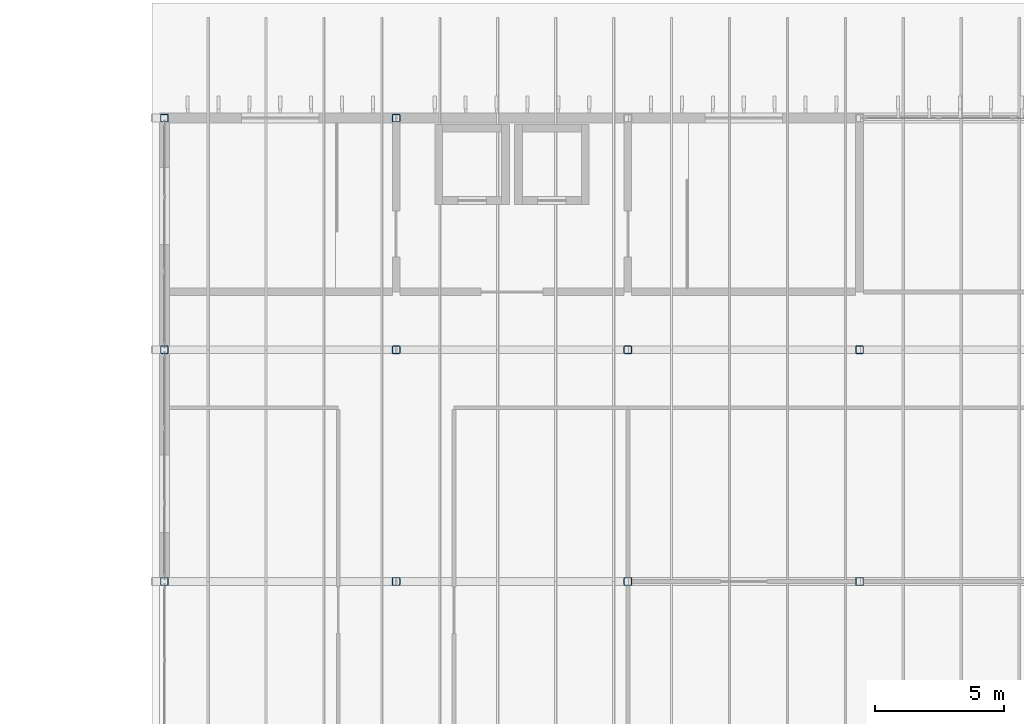
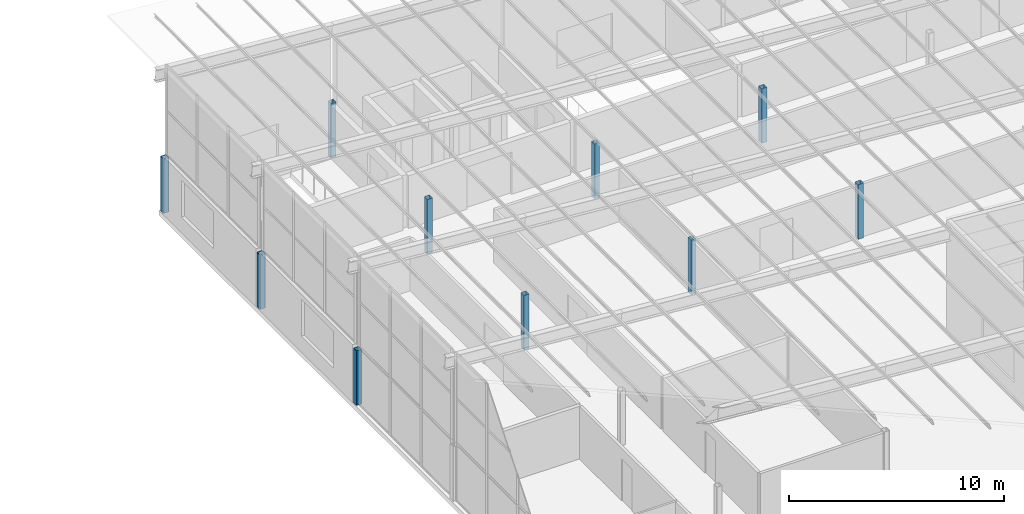
# One storey, part 15 of 85: 10 columns.
"""IFC4 building model written with IfcOpenShell, lengths in metres."""

from ifc_helpers import new_model, si_unit, direction, frame, origin, origin_2d, place, context, subcontext, project, spatial, hollow_rectangle, extrude, material, material_profile, profile_set, type_object, element, save


model = new_model("IFC4")

# Units and contexts
model_context = context("Model", 3, precision=1e-05, world=origin(), true_north=direction((0.0, 1.0)))
body_context = subcontext(model_context, "Body", "Model", "MODEL_VIEW")
ifc_project = project(units=[si_unit("LENGTHUNIT", "METRE"), si_unit("AREAUNIT", "SQUARE_METRE"), si_unit("VOLUMEUNIT", "CUBIC_METRE"), si_unit("PLANEANGLEUNIT", "RADIAN"), si_unit("MASSUNIT", "GRAM", prefix="KILO")], contexts=[model_context])

# Site, building, storey
site_placement = place(None, origin())
site = spatial("IfcSite", under=ifc_project, at=site_placement, CompositionType="ELEMENT")
building_placement = place(site_placement, origin())
building = spatial("IfcBuilding", under=site, at=building_placement, Name="Opaline Strait Convention Centre", CompositionType="ELEMENT")
storey_placement = place(building_placement, frame((0.0, 0.0, 17.0)))
storey = spatial("IfcBuildingStorey", under=building, at=storey_placement, Name="L03", CompositionType="ELEMENT", Elevation=17.0)

# Columns
ifc_material = material(Name="Steel Q355B", Category="steel")
ifc_material_profile = material_profile(ifc_material, hollow_rectangle(XDim=0.300048828125, YDim=0.300048828125, WallThickness=0.011962890625, InnerFilletRadius=0.02392578125, OuterFilletRadius=0.035888671875, at=origin_2d()), Name="RHS 300x300x12")
ifc_profile_set = profile_set([ifc_material_profile], Name="Steel Q355B")
column_type = type_object("IfcColumnType", Name="Roof post RHS 300x300x12", PredefinedType="COLUMN", material=ifc_profile_set)
for number, where, z_axis, x_axis, name in (
    (1, (279.0, 162.0, 0.0), (0.0, 0.0, 1.0), (1.0, 0.0, 0.0), "MRS1 roof post at 32/U"),
    (2, (279.0, 171.0, 0.0), (0.0, 0.0, 1.0), (1.0, 0.0, 0.0), "MRS1 roof post at 32/V"),
    (3, (279.0, 180.0, 0.0), (0.0, 0.0, 1.0), (1.0, 0.0, 0.0), "MRS1 roof post at 32/W"),
    (4, (288.0, 162.0, 0.0), (0.0, 0.0, 1.0), (1.0, 0.0, 0.0), "MRS1 roof post at 33/U"),
    (5, (288.0, 171.0, 0.0), (0.0, 0.0, 1.0), (1.0, 0.0, 0.0), "MRS1 roof post at 33/V"),
    (6, (288.0, 180.0, 0.0), (0.0, 0.0, 1.0), (1.0, 0.0, 0.0), "MRS1 roof post at 33/W"),
    (7, (297.0, 162.0, 0.0), (0.0, 0.0, 1.0), (1.0, 0.0, 0.0), "MRS1 roof post at 34/U"),
    (8, (297.0, 171.0, 0.0), (0.0, 0.0, 1.0), (1.0, 0.0, 0.0), "MRS1 roof post at 34/V"),
    (9, (306.0, 162.0, 0.0), (0.0, 0.0, 1.0), (1.0, 0.0, 0.0), "MRS1 roof post at 35/U"),
    (10, (306.0, 171.0, 0.0), (0.0, 0.0, 1.0), (1.0, 0.0, 0.0), "MRS1 roof post at 35/V"),
):
    element("IfcColumn", number, at=place(storey_placement, frame(where, z_axis=z_axis, x_axis=x_axis)), inside=storey, type_object=column_type, Name=name, PredefinedType="COLUMN", context=body_context, shape_type="SweptSolid", body=[
        extrude(hollow_rectangle(XDim=0.300048828125, YDim=0.300048828125, WallThickness=0.011962890625, InnerFilletRadius=0.02392578125, OuterFilletRadius=0.035888671875, at=origin_2d()), origin(), (0.0, 0.0, 1.0), 3.10009765625),
    ])

save(model, "model.ifc")
